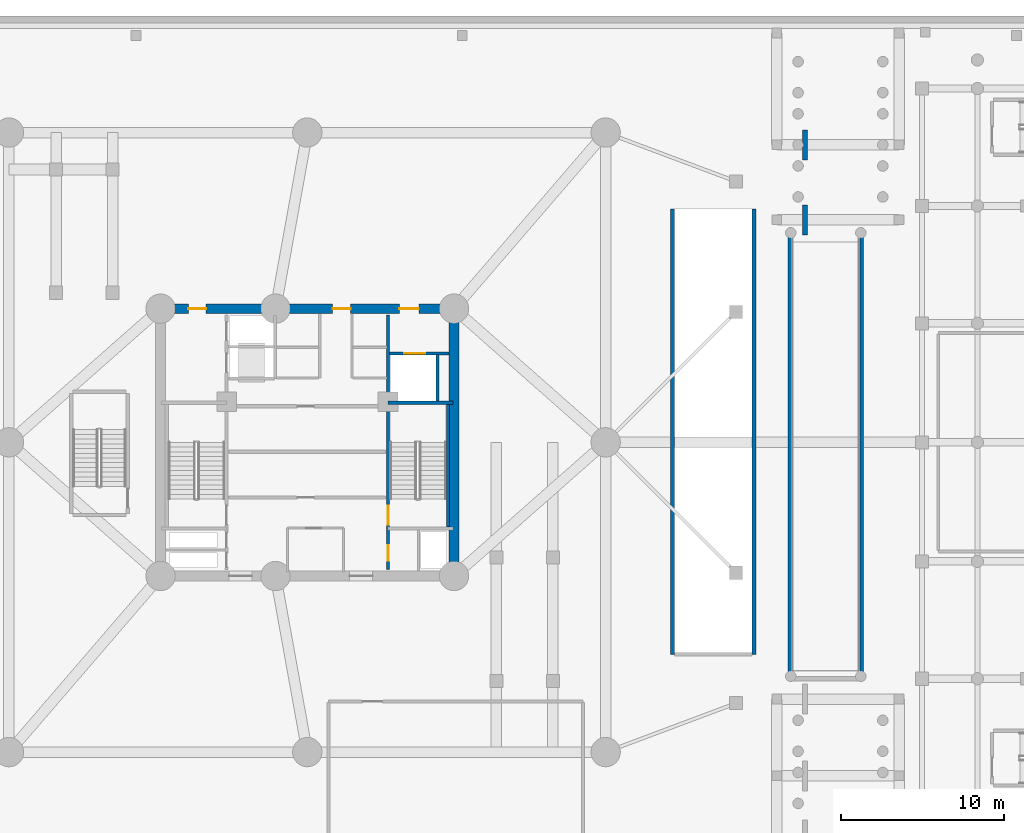
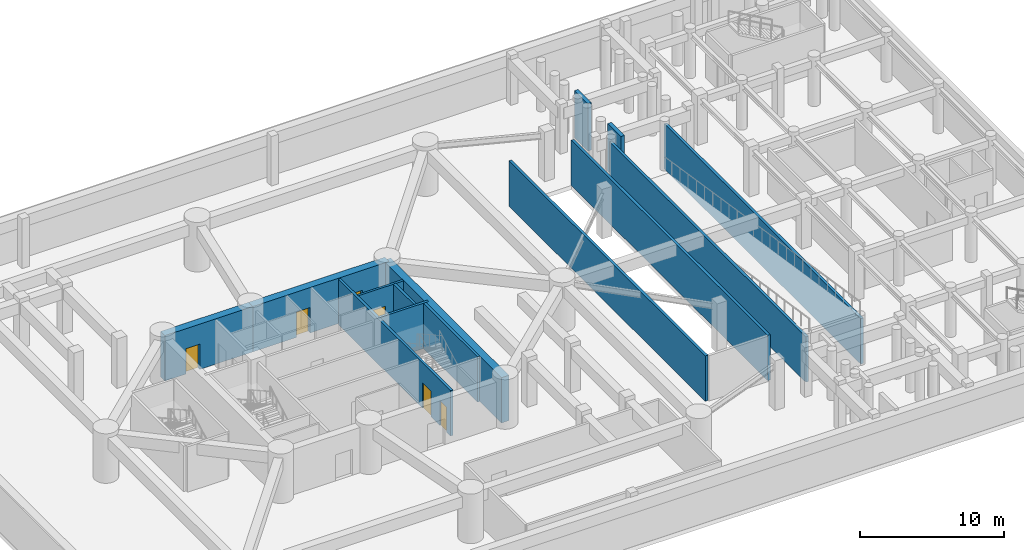
# One storey, part 5 of 11: 14 walls, 6 doors, 6 openings.
"""IFC4 building model written with IfcOpenShell, lengths in metres."""

import ifcopenshell
import ifcopenshell.guid

model = None  # the IFC model being written
_history = None  # IfcOwnerHistory: only IFC2X3 demands one
_inside = {}  # id of a spatial element -> (the spatial element, [elements in it])
_under = {}  # id of a project, library or spatial element -> (it, [spatial elements below it])
_declared = {}  # id of a project -> (the project, [libraries it declares])
_typed = {}  # id of a type object -> (the type object, [elements of that type])
_made_of = {}  # id of a material, layer set ... -> (it, [elements and type objects made of it])


def new_model(schema):
    """Start an empty IFC model of exactly this schema.

    Asked for "IFC4X3", IfcOpenShell would pick the latest addendum, in which some entities
    have other attributes; the version numbers below select the first issue.
    IFC2X3 requires an IfcOwnerHistory on every rooted entity: one is made here for all.
    """
    global model, _history
    if schema == "IFC4X3":
        model = ifcopenshell.file(schema_version=(4, 3, 0, 0))
    else:
        model = ifcopenshell.file(schema=schema)
    _inside.clear()
    _under.clear()
    _declared.clear()
    _typed.clear()
    _made_of.clear()
    _history = None
    if model.schema == "IFC2X3":
        org = make("IfcOrganization", Name="unknown")
        user = make(
            "IfcPersonAndOrganization",
            ThePerson=make("IfcPerson", FamilyName="unknown"),
            TheOrganization=org,
        )
        app = make(
            "IfcApplication",
            ApplicationDeveloper=org,
            Version="unknown",
            ApplicationFullName="unknown",
            ApplicationIdentifier="unknown",
        )
        _history = make(
            "IfcOwnerHistory",
            OwningUser=user,
            OwningApplication=app,
            ChangeAction="ADDED",
            CreationDate=0,
        )
    return model


def make(cls, **values):
    """One entity of the class cls with the attributes given. An attribute that is None is left unset."""
    return model.create_entity(
        cls, **{name: value for name, value in values.items() if value is not None}
    )


def rooted(cls, **values):
    """An entity with a GlobalId (a new one), such as an element, a storey or a relation."""
    return make(cls, GlobalId=ifcopenshell.guid.new(), OwnerHistory=_history, **values)


def si_unit(unit_type, name, prefix=None):
    """IfcSIUnit, for example si_unit("LENGTHUNIT", "METRE", prefix="MILLI")."""
    return make("IfcSIUnit", UnitType=unit_type, Prefix=prefix, Name=name)


def assignment(units):
    """IfcUnitAssignment: the units of a project."""
    return None if units is None else make("IfcUnitAssignment", Units=units)


def point(xyz):
    """IfcCartesianPoint."""
    return None if xyz is None else make("IfcCartesianPoint", Coordinates=xyz)


def direction(xyz):
    """IfcDirection."""
    return None if xyz is None else make("IfcDirection", DirectionRatios=xyz)


def frame(location, z_axis=None, x_axis=None):
    """IfcAxis2Placement3D, a coordinate frame: its origin and axes. An axis left out is left unset."""
    return make(
        "IfcAxis2Placement3D",
        Location=point(location),
        Axis=direction(z_axis),
        RefDirection=direction(x_axis),
    )


def frame_2d(location, x_axis=None):
    """IfcAxis2Placement2D, a coordinate frame in the plane: its origin and x axis."""
    return make(
        "IfcAxis2Placement2D", Location=point(location), RefDirection=direction(x_axis)
    )


def origin():
    """The frame at (0, 0, 0) with its axes left unset."""
    return frame((0.0, 0.0, 0.0))


def origin_with_axes():
    """The frame at (0, 0, 0) with the z axis (0, 0, 1) and the x axis (1, 0, 0) written out."""
    return frame((0.0, 0.0, 0.0), z_axis=(0.0, 0.0, 1.0), x_axis=(1.0, 0.0, 0.0))


def place(relative_to, where):
    """IfcLocalPlacement: puts the frame where relative to a parent placement (None: the world)."""
    return make(
        "IfcLocalPlacement", PlacementRelTo=relative_to, RelativePlacement=where
    )


def context(
    kind, dimensions, precision=None, world=None, true_north=None, identifier=None
):
    """IfcGeometricRepresentationContext, for example the 3D "Model" context."""
    return make(
        "IfcGeometricRepresentationContext",
        ContextIdentifier=identifier,
        ContextType=kind,
        CoordinateSpaceDimension=dimensions,
        Precision=precision,
        WorldCoordinateSystem=world,
        TrueNorth=true_north,
    )


def subcontext(parent, identifier, kind, view, scale=None):
    """IfcGeometricRepresentationSubContext, for example "Body" below "Model"."""
    return make(
        "IfcGeometricRepresentationSubContext",
        ContextIdentifier=identifier,
        ContextType=kind,
        ParentContext=parent,
        TargetScale=scale,
        TargetView=view,
    )


def project(units=None, contexts=None):
    """IfcProject with its units and contexts."""
    return rooted(
        "IfcProject",
        Name="project",
        RepresentationContexts=contexts,
        UnitsInContext=assignment(units),
    )


def spatial(cls, under=None, at=None, **own):
    """A site, building, storey or space (cls), placed at a placement, below another one or the project."""
    s = rooted(cls, ObjectPlacement=at, **own)
    if under is not None:
        _under.setdefault(under.id(), (under, []))[1].append(s)
    return s


def profile(cls, at=None, kind="AREA", **sizes):
    """A parametric profile (cls). Its sizes go by their IFC names, for example OverallWidth=200.0."""
    return make(cls, ProfileType=kind, Position=at, **sizes)


def rectangle(**sizes):
    """IfcRectangleProfileDef."""
    return profile("IfcRectangleProfileDef", **sizes)


def extrude(swept, where, along, depth):
    """IfcExtrudedAreaSolid: the profile swept, set in the frame where, extruded along a direction by depth."""
    return make(
        "IfcExtrudedAreaSolid",
        SweptArea=swept,
        Position=where,
        ExtrudedDirection=direction(along),
        Depth=depth,
    )


def shape(context_of_items, identifier, shape_type, items):
    """IfcShapeRepresentation: the items that make up one representation, for example the "Body"."""
    return make(
        "IfcShapeRepresentation",
        ContextOfItems=context_of_items,
        RepresentationIdentifier=identifier,
        RepresentationType=shape_type,
        Items=items,
    )


def source(mapping_origin, context_of_items, identifier, shape_type, items):
    """IfcRepresentationMap: a shape defined once, which mapped items show again and again."""
    return make(
        "IfcRepresentationMap",
        MappingOrigin=mapping_origin,
        MappedRepresentation=shape(context_of_items, identifier, shape_type, items),
    )


def transform(
    local_origin,
    x_axis=None,
    y_axis=None,
    z_axis=None,
    scale=None,
    scale2=None,
    scale3=None,
    uniform=True,
):
    """IfcCartesianTransformationOperator3D, or its non-uniform kind. x_axis, y_axis, z_axis: its Axis1, 2, 3."""
    if uniform:
        return make(
            "IfcCartesianTransformationOperator3D",
            Axis1=direction(x_axis),
            Axis2=direction(y_axis),
            LocalOrigin=point(local_origin),
            Scale=scale,
            Axis3=direction(z_axis),
        )
    return make(
        "IfcCartesianTransformationOperator3DnonUniform",
        Axis1=direction(x_axis),
        Axis2=direction(y_axis),
        LocalOrigin=point(local_origin),
        Scale=scale,
        Axis3=direction(z_axis),
        Scale2=scale2,
        Scale3=scale3,
    )


def mapped(mapping_source, mapping_target):
    """IfcMappedItem: shows the shape of a source again, moved by a transform."""
    return make(
        "IfcMappedItem", MappingSource=mapping_source, MappingTarget=mapping_target
    )


def material(Name=None, Category=None):
    """IfcMaterial."""
    return make("IfcMaterial", Name=Name, Category=Category)


def layer(
    of_material, thickness, ventilated=None, Name=None, Category=None, Priority=None
):
    """IfcMaterialLayer: one layer of a wall or slab, of a material (None: an air gap)."""
    return make(
        "IfcMaterialLayer",
        Material=of_material,
        LayerThickness=thickness,
        IsVentilated=ventilated,
        Name=Name,
        Category=Category,
        Priority=Priority,
    )


def layer_set(layers, Name=None):
    """IfcMaterialLayerSet."""
    return make("IfcMaterialLayerSet", MaterialLayers=layers, LayerSetName=Name)


def made_of(thing, what):
    """Note that an element or type object is made of a material, layer set ...; save() writes the relation."""
    if what is not None:
        _made_of.setdefault(what.id(), (what, []))[1].append(thing)
    return thing


def type_object(cls, material=None, **own):
    """A type object (cls), such as IfcWallType, which elements share."""
    return made_of(rooted(cls, **own), material)


def element(
    cls,
    number,
    at=None,
    inside=None,
    cuts=None,
    type_object=None,
    material=None,
    context=None,
    identifier="Body",
    shape_type=None,
    held_by="IfcProductDefinitionShape",
    body=None,
    shapes=None,
    **own,
):
    """One element of the class cls, such as IfcWall. Its Tag is "e" and its number.

    at: its placement. inside: the storey or other place that contains it. cuts: it is an
    opening in that element (IfcRelVoidsElement). A single representation is given by context,
    identifier, shape_type and body (its items); several are given by shapes. held_by: the class
    of the entity that holds the representations. save() writes the other relations.
    """
    e = rooted(cls, Tag="e%d" % number, ObjectPlacement=at, **own)
    if body is not None:
        shapes = [shape(context, identifier, shape_type, body)]
    if shapes is not None:
        e.Representation = make(held_by, Representations=shapes)
    if inside is not None:
        _inside.setdefault(inside.id(), (inside, []))[1].append(e)
    if cuts is not None:
        rooted(
            "IfcRelVoidsElement", RelatingBuildingElement=cuts, RelatedOpeningElement=e
        )
    if type_object is not None:
        _typed.setdefault(type_object.id(), (type_object, []))[1].append(e)
    return made_of(e, material)


def fill(opening, filler):
    """IfcRelFillsElement: the door or window that sits in an opening."""
    return rooted(
        "IfcRelFillsElement",
        RelatingOpeningElement=opening,
        RelatedBuildingElement=filler,
    )


def aggregate(whole, parts):
    """IfcRelAggregates: a whole, such as a stair, and the parts it consists of."""
    return rooted("IfcRelAggregates", RelatingObject=whole, RelatedObjects=parts)


def save(model, path):
    """Write the relations noted so far, then the file.

    IfcRelAggregates (storeys below a building ...), IfcRelContainedInSpatialStructure (elements
    in a storey), IfcRelDefinesByType, IfcRelAssociatesMaterial and IfcRelDeclares: one each for
    every whole, place, type object, material and project.
    """
    for whole, parts in _under.values():
        aggregate(whole, parts)
    for where, things in _inside.values():
        rooted(
            "IfcRelContainedInSpatialStructure",
            RelatedElements=things,
            RelatingStructure=where,
        )
    for kind, things in _typed.values():
        rooted("IfcRelDefinesByType", RelatedObjects=things, RelatingType=kind)
    for what, things in _made_of.values():
        rooted("IfcRelAssociatesMaterial", RelatedObjects=things, RelatingMaterial=what)
    for by, libraries in _declared.values():
        rooted("IfcRelDeclares", RelatingContext=by, RelatedDefinitions=libraries)
    model.write(path)


model = new_model("IFC4")

# Units and contexts
model_context = context("Model", 3, precision=1e-05, world=origin(), true_north=direction((0.0, 1.0)))
body_context = subcontext(model_context, "Body", "Model", "MODEL_VIEW")
ifc_project = project(units=[si_unit("LENGTHUNIT", "METRE"), si_unit("AREAUNIT", "SQUARE_METRE"), si_unit("VOLUMEUNIT", "CUBIC_METRE"), si_unit("PLANEANGLEUNIT", "RADIAN"), si_unit("MASSUNIT", "GRAM", prefix="KILO")], contexts=[model_context])

# Site, building, storey
site_placement = place(None, origin())
site = spatial("IfcSite", under=ifc_project, at=site_placement, CompositionType="ELEMENT")
building_placement = place(site_placement, origin())
building = spatial("IfcBuilding", under=site, at=building_placement, Name="Karkom Vertical University and Central Library", CompositionType="ELEMENT")
storey_placement = place(building_placement, frame((0.0, 0.0, -4.199951171875)))
storey = spatial("IfcBuildingStorey", under=building, at=storey_placement, Name="B01", CompositionType="ELEMENT", Elevation=-4.199951171875)

# Wall, opening, door
ifc_material_1 = material(Name="Twin-stud acoustic drywall 180mm", Category="gypsum")
ifc_layer_1 = layer(ifc_material_1, 0.179931640625)
ifc_layer_set_1 = layer_set([ifc_layer_1], Name="Twin-stud acoustic drywall 180mm")
wall_type_1 = type_object("IfcWallType", Name="INT-WL-TEN-180F", PredefinedType="PARTITIONING", material=ifc_layer_set_1)
wall_1_placement = place(storey_placement, frame((33.534912109375, 31.949951171875, 0.0), z_axis=(0.0, 0.0, 1.0), x_axis=(1.0, 0.0, 0.0)))
wall_1 = element("IfcWall", 1, at=wall_1_placement, inside=storey, type_object=wall_type_1, Name="Basement 01 Interior Partition Wall B01-CW-SVL-N", PredefinedType="PARTITIONING", context=body_context, shape_type="SweptSolid", body=[
    extrude(rectangle(XDim=3.658447265625, YDim=0.179931640625, at=frame_2d((1.8291015625, 0.0))), origin(), (0.0, 0.0, 1.0), 3.849853515625),
])
opening_1_placement = place(wall_1_placement, frame((0.89990234375, 0.0, 0.0)))
opening_1 = element("IfcOpeningElement", 2, at=opening_1_placement, cuts=wall_1, Name="Opening LD-SV1", PredefinedType="OPENING", context=body_context, shape_type="SweptSolid", body=[
    extrude(rectangle(XDim=1.300048828125, YDim=2.199951171875, at=frame_2d((0.64990234375, 1.10009765625))), frame((0.0, 0.10009765625, 0.0), z_axis=(0.0, -1.0, 0.0), x_axis=(1.0, 0.0, 0.0)), (0.0, 0.0, 1.0), 0.199951171875),
])
ifc_material_2 = material(Name="Brushed stainless-steel landing door", Category="steel")
door_type_1 = type_object("IfcDoorType", Name="INT-DR-LD-SV1", OperationType="SLIDING_TO_LEFT", PredefinedType="DOOR", material=ifc_material_2)
shared_shape_1 = source(origin_with_axes(), body_context, "Body", "SweptSolid", [
    extrude(rectangle(XDim=1.300048828125, YDim=2.199951171875, at=frame_2d((0.64990234375, 1.10009765625))), frame((0.0, 0.02490234375, 0.0), z_axis=(0.0, -1.0, 0.0), x_axis=(1.0, 0.0, 0.0)), (0.0, 0.0, 1.0), 0.050048828125),
])
door_1_placement = place(opening_1_placement, origin())
door_1 = element("IfcDoor", 3, at=door_1_placement, inside=storey, type_object=door_type_1, Name="Basement 01 Service Lift Landing Door LD-SV1", OperationType="SLIDING_TO_LEFT", OverallHeight=2.199951171875, OverallWidth=1.300048828125, PredefinedType="DOOR", context=body_context, shape_type="MappedRepresentation", body=[
    mapped(shared_shape_1, transform((0.0, 0.0, 0.0), scale=1.0)),
])
fill(opening_1, door_1)

# Walls
ifc_material_3 = material(Name="Concrete C45/55", Category="concrete")
ifc_layer_2 = layer(ifc_material_3, 0.219970703125)
ifc_layer_set_2 = layer_set([ifc_layer_2], Name="Concrete C45/55")
wall_type_2 = type_object("IfcWallType", Name="STR-WL-CW-220", PredefinedType="SHEAR", material=ifc_layer_set_2)
for number, where, z_axis, x_axis, name in (
    (4, (50.89990234375, 13.5, 0.0), (0.0, 0.0, 1.0), (0.0, 1.0, 0.0), "Basement 01 Core Shaft Wall B01-W-RMP1-W"),
    (5, (55.89990234375, 13.5, 0.0), (0.0, 0.0, 1.0), (0.0, 1.0, 0.0), "Basement 01 Core Shaft Wall B01-W-RMP1-E"),
    (6, (58.10009765625, 12.0, 0.0), (0.0, 0.0, 1.0), (0.0, 1.0, 0.0), "Basement 01 Core Shaft Wall B01-W-RMP2-W"),
    (7, (62.5, 12.0, 0.0), (0.0, 0.0, 1.0), (0.0, 1.0, 0.0), "Basement 01 Core Shaft Wall B01-W-RMP2-E"),
):
    element("IfcWall", number, at=place(storey_placement, frame(where, z_axis=z_axis, x_axis=x_axis)), inside=storey, type_object=wall_type_2, Name=name, PredefinedType="SHEAR", context=body_context, shape_type="SweptSolid", body=[
        extrude(rectangle(XDim=27.300048828125, YDim=0.219970703125, at=frame_2d((13.64990234375, 0.0))), origin(), (0.0, 0.0, 1.0), 3.849853515625),
    ])
ifc_layer_3 = layer(ifc_material_3, 0.300048828125)
ifc_layer_set_3 = layer_set([ifc_layer_3], Name="Concrete C45/55")
wall_type_3 = type_object("IfcWallType", Name="STR-WL-CW-300", PredefinedType="SHEAR", material=ifc_layer_set_3)
wall_2_placement = place(storey_placement, frame((59.02001953125, 43.830078125, 0.0), z_axis=(0.0, 0.0, 1.0), x_axis=(0.0, 1.0, 0.0)))
element("IfcWall", 8, at=wall_2_placement, inside=storey, type_object=wall_type_3, Name="Basement 01 Pedestrian Ramp 3 Toe Support Stem Wall", PredefinedType="SHEAR", context=body_context, shape_type="SweptSolid", body=[
    extrude(rectangle(XDim=1.83984375, YDim=0.300048828125, at=frame_2d((0.919921875, 0.0))), origin(), (0.0, 0.0, 1.0), 4.02001953125),
])
wall_3_placement = place(storey_placement, frame((59.02001953125, 39.22998046875, 0.0), z_axis=(0.0, 0.0, 1.0), x_axis=(0.0, 1.0, 0.0)))
element("IfcWall", 9, at=wall_3_placement, inside=storey, type_object=wall_type_3, Name="Basement 01 Pedestrian Ramp 4 Toe Support Stem Wall", PredefinedType="SHEAR", context=body_context, shape_type="SweptSolid", body=[
    extrude(rectangle(XDim=1.840087890625, YDim=0.300048828125, at=frame_2d((0.919921875, 0.0))), origin(), (0.0, 0.0, 1.0), 4.02001953125),
])
ifc_material_4 = material(Name="Concrete C50/60", Category="concrete")
ifc_layer_4 = layer(ifc_material_4, 0.60009765625)
ifc_layer_set_4 = layer_set([ifc_layer_4], Name="Concrete C50/60")
wall_type_4 = type_object("IfcWallType", Name="STR-WL-CW-600", PredefinedType="SHEAR", material=ifc_layer_set_4)
wall_4_placement = place(storey_placement, frame((37.5, 18.300048828125, 0.0), z_axis=(0.0, 0.0, 1.0), x_axis=(0.0, 1.0, 0.0)))
element("IfcWall", 10, at=wall_4_placement, inside=storey, type_object=wall_type_4, Name="Basement 01 Central Core Shear Wall EW", PredefinedType="SHEAR", context=body_context, shape_type="SweptSolid", body=[
    extrude(rectangle(XDim=16.39990234375, YDim=0.60009765625, at=frame_2d((8.199951171875, 0.0))), origin(), (0.0, 0.0, 1.0), 3.849853515625),
])

# Wall, openings, doors
wall_5_placement = place(storey_placement, frame((37.5, 34.699951171875, 0.0), z_axis=(0.0, 0.0, 1.0), x_axis=(-1.0, 0.0, 0.0)))
wall_5 = element("IfcWall", 11, at=wall_5_placement, inside=storey, type_object=wall_type_4, Name="Basement 01 Central Core Shear Wall NW1", PredefinedType="SHEAR", context=body_context, shape_type="SweptSolid", body=[
    extrude(rectangle(XDim=10.949951171875, YDim=0.60009765625, at=frame_2d((5.47509765625, 0.0))), origin(), (0.0, 0.0, 1.0), 3.849853515625),
])
opening_2_placement = place(wall_5_placement, frame((2.14990234375, 0.0, 0.0)))
opening_2 = element("IfcOpeningElement", 12, at=opening_2_placement, cuts=wall_5, Name="Opening FD-SUB1", PredefinedType="OPENING", context=body_context, shape_type="SweptSolid", body=[
    extrude(rectangle(XDim=1.199951171875, YDim=2.14990234375, at=frame_2d((0.60009765625, 1.074951171875))), frame((0.0, 0.31005859375, 0.0), z_axis=(0.0, -1.0, 0.0), x_axis=(1.0, 0.0, 0.0)), (0.0, 0.0, 1.0), 0.6201171875),
])
opening_3_placement = place(wall_5_placement, frame((6.35009765625, 0.0, 0.0)))
opening_3 = element("IfcOpeningElement", 13, at=opening_3_placement, cuts=wall_5, Name="Opening FD-FFL", PredefinedType="OPENING", context=body_context, shape_type="SweptSolid", body=[
    extrude(rectangle(XDim=1.10009765625, YDim=2.14990234375, at=frame_2d((0.550048828125, 1.074951171875))), frame((0.0, 0.31005859375, 0.0), z_axis=(0.0, -1.0, 0.0), x_axis=(1.0, 0.0, 0.0)), (0.0, 0.0, 1.0), 0.6201171875),
])
ifc_material_5 = material(Name="Painted steel smoke-seal fire door", Category="steel")
door_type_2 = type_object("IfcDoorType", Name="INT-DR-FFL", OperationType="NOTDEFINED", PredefinedType="DOOR", material=ifc_material_5)
shared_shape_2 = source(origin_with_axes(), body_context, "Body", "SweptSolid", [
    extrude(rectangle(XDim=1.10009765625, YDim=2.14990234375, at=frame_2d((0.550048828125, 1.074951171875))), frame((0.0, 0.02490234375, 0.0), z_axis=(0.0, -1.0, 0.0), x_axis=(1.0, 0.0, 0.0)), (0.0, 0.0, 1.0), 0.050048828125),
])
door_2_placement = place(opening_3_placement, origin())
door_2 = element("IfcDoor", 14, at=door_2_placement, inside=storey, type_object=door_type_2, Name="Basement 01 North Core Lobby Exit Door", OperationType="SINGLE_SWING_RIGHT", OverallHeight=2.14990234375, OverallWidth=1.10009765625, PredefinedType="DOOR", context=body_context, shape_type="MappedRepresentation", body=[
    mapped(shared_shape_2, transform((0.0, 0.0, 0.0), scale=1.0)),
])
fill(opening_3, door_2)
ifc_material_6 = material(Name="Painted steel fire door", Category="steel")
door_type_3 = type_object("IfcDoorType", Name="INT-DR-SUB1", OperationType="NOTDEFINED", PredefinedType="DOOR", material=ifc_material_6)
shared_shape_3 = source(origin_with_axes(), body_context, "Body", "SweptSolid", [
    extrude(rectangle(XDim=1.199951171875, YDim=2.14990234375, at=frame_2d((0.60009765625, 1.074951171875))), frame((0.0, 0.02490234375, 0.0), z_axis=(0.0, -1.0, 0.0), x_axis=(1.0, 0.0, 0.0)), (0.0, 0.0, 1.0), 0.050048828125),
])
door_3_placement = place(opening_2_placement, origin())
door_3 = element("IfcDoor", 15, at=door_3_placement, inside=storey, type_object=door_type_3, Name="Basement 01 Service Lobby Fire Door", OperationType="SINGLE_SWING_LEFT", OverallHeight=2.14990234375, OverallWidth=1.199951171875, PredefinedType="DOOR", context=body_context, shape_type="MappedRepresentation", body=[
    mapped(shared_shape_3, transform((0.0, 0.0, 0.0), scale=1.0)),
])
fill(opening_2, door_3)

# Wall, opening, door
wall_6_placement = place(storey_placement, frame((26.550048828125, 34.699951171875, 0.0), z_axis=(0.0, 0.0, 1.0), x_axis=(-1.0, 0.0, 0.0)))
wall_6 = element("IfcWall", 16, at=wall_6_placement, inside=storey, type_object=wall_type_4, Name="Basement 01 Central Core Shear Wall NW2", PredefinedType="SHEAR", context=body_context, shape_type="SweptSolid", body=[
    extrude(rectangle(XDim=7.050048828125, YDim=0.60009765625, at=frame_2d((3.52490234375, 0.0))), origin(), (0.0, 0.0, 1.0), 3.849853515625),
])
opening_4_placement = place(wall_6_placement, frame((4.25, 0.0, 0.0)))
opening_4 = element("IfcOpeningElement", 17, at=opening_4_placement, cuts=wall_6, Name="Opening FD-FFL", PredefinedType="OPENING", context=body_context, shape_type="SweptSolid", body=[
    extrude(rectangle(XDim=1.10009765625, YDim=2.14990234375, at=frame_2d((0.550048828125, 1.074951171875))), frame((0.0, 0.31005859375, 0.0), z_axis=(0.0, -1.0, 0.0), x_axis=(1.0, 0.0, 0.0)), (0.0, 0.0, 1.0), 0.6201171875),
])
door_4_placement = place(opening_4_placement, origin())
door_4 = element("IfcDoor", 18, at=door_4_placement, inside=storey, type_object=door_type_2, Name="Basement 01 Firefighting Lobby Door", OperationType="SINGLE_SWING_RIGHT", OverallHeight=2.14990234375, OverallWidth=1.10009765625, PredefinedType="DOOR", context=body_context, shape_type="MappedRepresentation", body=[
    mapped(shared_shape_2, transform((0.0, 0.0, 0.0), scale=1.0)),
])
fill(opening_4, door_4)

# Wall, openings, doors
ifc_layer_5 = layer(ifc_material_3, 0.199951171875)
ifc_layer_set_5 = layer_set([ifc_layer_5], Name="Concrete C45/55")
wall_type_5 = type_object("IfcWallType", Name="STR-WL-ST-200", PredefinedType="SHEAR", material=ifc_layer_set_5)
wall_7_placement = place(storey_placement, frame((33.455078125, 18.699951171875, 0.0), z_axis=(0.0, 0.0, 1.0), x_axis=(0.0, 1.0, 0.0)))
wall_7 = element("IfcWall", 19, at=wall_7_placement, inside=storey, type_object=wall_type_5, Name="Basement 01 Core Shaft Wall B01-CW-ST2-W", PredefinedType="SHEAR", context=body_context, shape_type="SweptSolid", body=[
    extrude(rectangle(XDim=15.60009765625, YDim=0.199951171875, at=frame_2d((7.800048828125, 0.0))), origin(), (0.0, 0.0, 1.0), 3.849853515625),
])
opening_5_placement = place(wall_7_placement, frame((2.75, 0.0, 0.0)))
opening_5 = element("IfcOpeningElement", 20, at=opening_5_placement, cuts=wall_7, Name="Opening FD-ST1", PredefinedType="OPENING", context=body_context, shape_type="SweptSolid", body=[
    extrude(rectangle(XDim=1.14990234375, YDim=2.14990234375, at=frame_2d((0.574951171875, 1.074951171875))), frame((0.0, 0.10986328125, 0.0), z_axis=(0.0, -1.0, 0.0), x_axis=(1.0, 0.0, 0.0)), (0.0, 0.0, 1.0), 0.219970703125),
])
opening_6_placement = place(wall_7_placement, frame((0.550048828125, 0.0, 0.0)))
opening_6 = element("IfcOpeningElement", 21, at=opening_6_placement, cuts=wall_7, Name="Opening D-WC1", PredefinedType="OPENING", context=body_context, shape_type="SweptSolid", body=[
    extrude(rectangle(XDim=0.93994140625, YDim=2.10009765625, at=frame_2d((0.469970703125, 1.050048828125))), frame((0.0, 0.10986328125, 0.0), z_axis=(0.0, -1.0, 0.0), x_axis=(1.0, 0.0, 0.0)), (0.0, 0.0, 1.0), 0.219970703125),
])
ifc_material_7 = material(Name="Painted steel acoustic fire door", Category="steel")
door_type_4 = type_object("IfcDoorType", Name="INT-DR-ST1", OperationType="NOTDEFINED", PredefinedType="DOOR", material=ifc_material_7)
shared_shape_4 = source(origin_with_axes(), body_context, "Body", "SweptSolid", [
    extrude(rectangle(XDim=1.14990234375, YDim=2.14990234375, at=frame_2d((0.574951171875, 1.074951171875))), frame((0.0, 0.02490234375, 0.0), z_axis=(0.0, -1.0, 0.0), x_axis=(1.0, 0.0, 0.0)), (0.0, 0.0, 1.0), 0.050048828125),
])
door_5_placement = place(opening_5_placement, origin())
door_5 = element("IfcDoor", 22, at=door_5_placement, inside=storey, type_object=door_type_4, Name="Basement 01 Stair ST-2 Fire Door", OperationType="SINGLE_SWING_LEFT", OverallHeight=2.14990234375, OverallWidth=1.14990234375, PredefinedType="DOOR", context=body_context, shape_type="MappedRepresentation", body=[
    mapped(shared_shape_4, transform((0.0, 0.0, 0.0), scale=1.0)),
])
fill(opening_5, door_5)
ifc_material_8 = material(Name="Fire-rated laminate moisture-resistant door", Category="wood")
door_type_5 = type_object("IfcDoorType", Name="INT-DR-WC1", OperationType="NOTDEFINED", PredefinedType="DOOR", material=ifc_material_8)
shared_shape_5 = source(origin_with_axes(), body_context, "Body", "SweptSolid", [
    extrude(rectangle(XDim=0.93994140625, YDim=2.10009765625, at=frame_2d((0.469970703125, 1.050048828125))), frame((0.0, 0.02490234375, 0.0), z_axis=(0.0, -1.0, 0.0), x_axis=(1.0, 0.0, 0.0)), (0.0, 0.0, 1.0), 0.050048828125),
])
door_6_placement = place(opening_6_placement, origin())
door_6 = element("IfcDoor", 23, at=door_6_placement, inside=storey, type_object=door_type_5, Name="Basement 01 Accessible WC Door", OperationType="SINGLE_SWING_RIGHT", OverallHeight=2.10009765625, OverallWidth=0.93994140625, PredefinedType="DOOR", context=body_context, shape_type="MappedRepresentation", body=[
    mapped(shared_shape_5, transform((0.0, 0.0, 0.0), scale=1.0)),
])
fill(opening_6, door_6)

# Walls
wall_8_placement = place(storey_placement, frame((37.125, 21.320068359375, 0.0), z_axis=(0.0, 0.0, 1.0), x_axis=(0.0, 1.0, 0.0)))
element("IfcWall", 24, at=wall_8_placement, inside=storey, type_object=wall_type_5, Name="Basement 01 Core Shaft Wall B01-CW-ST2-E", PredefinedType="SHEAR", context=body_context, shape_type="SweptSolid", body=[
    extrude(rectangle(XDim=7.5, YDim=0.199951171875, at=frame_2d((3.75, 0.0))), origin(), (0.0, 0.0, 1.0), 3.849853515625),
])
wall_9_placement = place(storey_placement, frame((33.455078125, 28.925048828125, 0.0), z_axis=(0.0, 0.0, 1.0), x_axis=(1.0, 0.0, 0.0)))
element("IfcWall", 25, at=wall_9_placement, inside=storey, type_object=wall_type_5, Name="Basement 01 Core Shaft Wall B01-CW-ST2-N", PredefinedType="SHEAR", context=body_context, shape_type="SweptSolid", body=[
    extrude(rectangle(XDim=3.994873046875, YDim=0.199951171875, at=frame_2d((1.99755859375, 0.0))), origin(), (0.0, 0.0, 1.0), 3.849853515625),
])
wall_10_placement = place(storey_placement, frame((36.47998046875, 29.02001953125, 0.0), z_axis=(0.0, 0.0, 1.0), x_axis=(0.0, 1.0, 0.0)))
element("IfcWall", 26, at=wall_10_placement, inside=storey, type_object=wall_type_5, Name="Basement 01 Core Shaft Wall B01-CW-SVL-E", PredefinedType="SHEAR", context=body_context, shape_type="SweptSolid", body=[
    extrude(rectangle(XDim=2.85986328125, YDim=0.199951171875, at=frame_2d((1.429931640625, 0.0))), origin(), (0.0, 0.0, 1.0), 3.849853515625),
])

save(model, "model.ifc")
